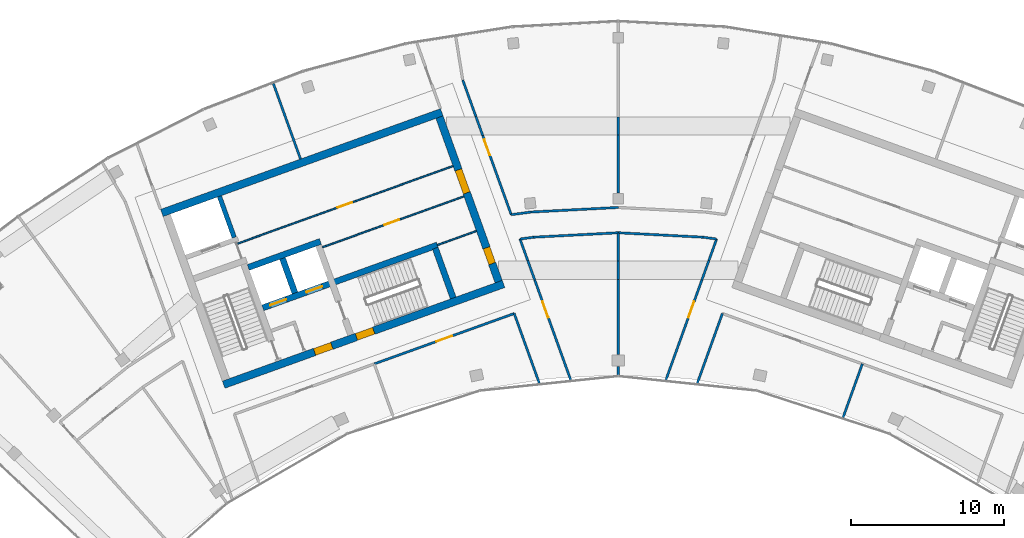
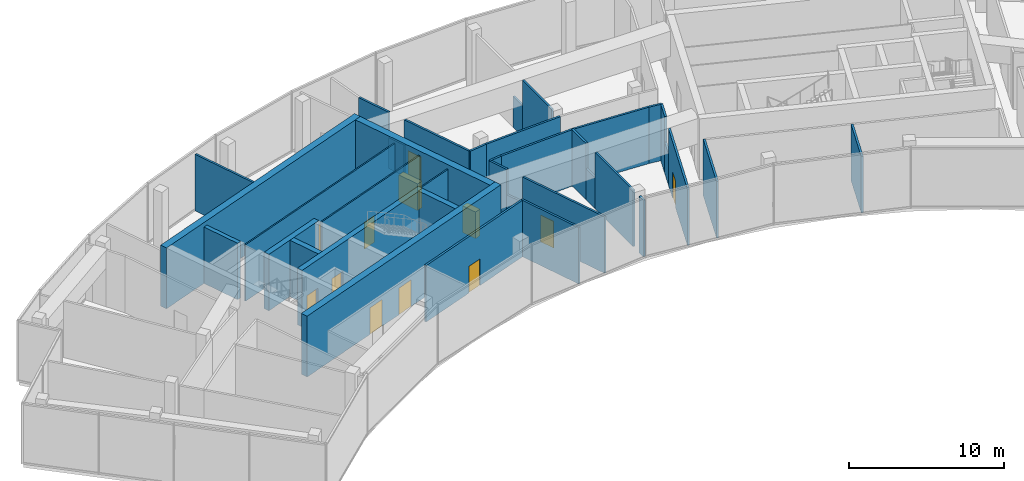
# One storey, part 13 of 17: 37 walls, 12 doors, 12 openings.
"""IFC4 building model written with IfcOpenShell, lengths in metres."""

from ifc_helpers import new_model, si_unit, direction, frame, frame_2d, origin, place, context, subcontext, project, spatial, rectangle, extrude, material, layer, layer_set, type_object, element, fill, save


model = new_model("IFC4")

# Units and contexts
model_context = context("Model", 3, precision=1e-05, world=origin(), true_north=direction((0.0, 1.0)))
body_context = subcontext(model_context, "Body", "Model", "MODEL_VIEW")
ifc_project = project(units=[si_unit("LENGTHUNIT", "METRE"), si_unit("AREAUNIT", "SQUARE_METRE"), si_unit("VOLUMEUNIT", "CUBIC_METRE"), si_unit("PLANEANGLEUNIT", "RADIAN"), si_unit("MASSUNIT", "GRAM", prefix="KILO")], contexts=[model_context])

# Site, building, storey
site_placement = place(None, origin())
site = spatial("IfcSite", under=ifc_project, at=site_placement, CompositionType="ELEMENT")
building_placement = place(site_placement, origin())
building = spatial("IfcBuilding", under=site, at=building_placement, Name="Stone Belt Terrace Tower", CompositionType="ELEMENT")
storey_placement = place(building_placement, frame((0.0, 0.0, 318.199951171875)))
storey = spatial("IfcBuildingStorey", under=building, at=storey_placement, Name="L77", CompositionType="ELEMENT", Elevation=318.199951171875)

# Wall, opening, door
ifc_material_1 = material(Name="Plasterboard partition")
ifc_layer_1 = layer(ifc_material_1, 0.10009765625)
ifc_layer_set_1 = layer_set([ifc_layer_1], Name="Core partition 100")
wall_type_1 = type_object("IfcWallType", Name="Core partition 100", PredefinedType="PARTITIONING", material=ifc_layer_set_1)
wall_1_placement = place(storey_placement, frame((-24.847412109375, 52.061767578125, 0.0), z_axis=(0.0, 0.0, 1.0), x_axis=(0.940921131887, 0.338625786921, 0.0)))
wall_1 = element("IfcWall", 1, at=wall_1_placement, inside=storey, type_object=wall_type_1, Name="Core A wall", PredefinedType="PARTITIONING", context=body_context, shape_type="SweptSolid", body=[
    extrude(rectangle(XDim=14.9501953125, YDim=0.10009765625, at=frame_2d((7.47509765625, 0.0))), origin(), (0.0, 0.0, 1.0), 4.449951171875),
])
opening_1_placement = place(wall_1_placement, frame((6.949951171875, 0.0, 0.0)))
opening_1 = element("IfcOpeningElement", 2, at=opening_1_placement, cuts=wall_1, Name="Opening L77-C01", PredefinedType="OPENING", context=body_context, shape_type="SweptSolid", body=[
    extrude(rectangle(XDim=1.0, YDim=2.10009765625, at=frame_2d((0.5, 1.050048828125))), frame((0.0, 0.06005859375, 0.0), z_axis=(0.0, -1.0, 0.0), x_axis=(1.0, 0.0, 0.0)), (0.0, 0.0, 1.0), 0.1201171875),
])
ifc_material_2 = material(Name="Timber door leaf", Category="wood")
door_type_1 = type_object("IfcDoorType", Name="Core room door 1000", OperationType="SINGLE_SWING_LEFT", PredefinedType="DOOR", material=ifc_material_2)
door_1_placement = place(opening_1_placement, origin())
door_1 = element("IfcDoor", 3, at=door_1_placement, inside=storey, type_object=door_type_1, Name="Door to Electrical room core A", OperationType="SINGLE_SWING_LEFT", OverallHeight=2.10009765625, OverallWidth=1.0, PredefinedType="DOOR", context=body_context, shape_type="SweptSolid", body=[
    extrude(rectangle(XDim=1.0, YDim=2.10009765625, at=frame_2d((0.5, 1.050048828125))), frame((0.0, 0.02490234375, 0.0), z_axis=(0.0, -1.0, 0.0), x_axis=(1.0, 0.0, 0.0)), (0.0, 0.0, 1.0), 0.050048828125),
])
fill(opening_1, door_1)

wall_2_placement = place(storey_placement, frame((-19.29052734375, 51.829833984375, 0.0), z_axis=(0.0, 0.0, 1.0), x_axis=(0.940925833398, 0.338612722803, 0.0)))
wall_2 = element("IfcWall", 4, at=wall_2_placement, inside=storey, type_object=wall_type_1, Name="Core A wall", PredefinedType="PARTITIONING", context=body_context, shape_type="SweptSolid", body=[
    extrude(rectangle(XDim=9.7998046875, YDim=0.10009765625, at=frame_2d((4.89990234375, 0.0))), origin(), (0.0, 0.0, 1.0), 4.449951171875),
])
opening_2_placement = place(wall_2_placement, frame((4.300048828125, 0.0, 0.0)))
opening_2 = element("IfcOpeningElement", 5, at=opening_2_placement, cuts=wall_2, Name="Opening L77-C02", PredefinedType="OPENING", context=body_context, shape_type="SweptSolid", body=[
    extrude(rectangle(XDim=1.0, YDim=2.10009765625, at=frame_2d((0.5, 1.050048828125))), frame((0.0, 0.06005859375, 0.0), z_axis=(0.0, -1.0, 0.0), x_axis=(1.0, 0.0, 0.0)), (0.0, 0.0, 1.0), 0.1201171875),
])
door_2_placement = place(opening_2_placement, origin())
door_2 = element("IfcDoor", 6, at=door_2_placement, inside=storey, type_object=door_type_1, Name="Door to Ventilation plant room core A", OperationType="SINGLE_SWING_LEFT", OverallHeight=2.10009765625, OverallWidth=1.0, PredefinedType="DOOR", context=body_context, shape_type="SweptSolid", body=[
    extrude(rectangle(XDim=1.0, YDim=2.10009765625, at=frame_2d((0.5, 1.050048828125))), frame((0.0, 0.02490234375, 0.0), z_axis=(0.0, -1.0, 0.0), x_axis=(1.0, 0.0, 0.0)), (0.0, 0.0, 1.0), 0.050048828125),
])
fill(opening_2, door_2)

# Wall
wall_3_placement = place(storey_placement, frame((-11.797119140625, 51.975830078125, 0.0), z_axis=(0.0, 0.0, 1.0), x_axis=(0.940910465161, 0.33865542451, 0.0)))
element("IfcWall", 7, at=wall_3_placement, inside=storey, type_object=wall_type_1, Name="Core A wall", PredefinedType="PARTITIONING", context=body_context, shape_type="SweptSolid", body=[
    extrude(rectangle(XDim=2.69970703125, YDim=0.10009765625, at=frame_2d((1.349853515625, 0.0))), origin(), (0.0, 0.0, 1.0), 4.449951171875),
])

# Wall, openings, doors
ifc_material_3 = material(Name="Concrete B60", Category="concrete")
ifc_layer_2 = layer(ifc_material_3, 0.5)
ifc_layer_set_2 = layer_set([ifc_layer_2], Name="Core wall 500 B60")
wall_type_2 = type_object("IfcWallType", Name="Core wall 500 B60", PredefinedType="SHEAR", material=ifc_layer_set_2)
wall_4_placement = place(storey_placement, frame((-25.736572265625, 42.867431640625, 0.0), z_axis=(0.0, 0.0, 1.0), x_axis=(0.940917407757, 0.338636134781, 0.0)))
wall_4 = element("IfcWall", 8, at=wall_4_placement, inside=storey, type_object=wall_type_2, Name="Core A wall concave L77", PredefinedType="SHEAR", context=body_context, shape_type="SweptSolid", body=[
    extrude(rectangle(XDim=19.400146484375, YDim=0.5, at=frame_2d((9.7001953125, 0.0))), origin(), (0.0, 0.0, 1.0), 4.800048828125),
])
opening_3_placement = place(wall_4_placement, frame((6.300048828125, 0.0, 0.0)))
opening_3 = element("IfcOpeningElement", 9, at=opening_3_placement, cuts=wall_4, Name="Opening L77-C07", PredefinedType="OPENING", context=body_context, shape_type="SweptSolid", body=[
    extrude(rectangle(XDim=1.199951171875, YDim=2.10009765625, at=frame_2d((0.60009765625, 1.050048828125))), frame((0.0, 0.260009765625, 0.0), z_axis=(0.0, -1.0, 0.0), x_axis=(1.0, 0.0, 0.0)), (0.0, 0.0, 1.0), 0.52001953125),
])
opening_4_placement = place(wall_4_placement, frame((9.2001953125, 0.0, 0.0)))
opening_4 = element("IfcOpeningElement", 10, at=opening_4_placement, cuts=wall_4, Name="Opening L77-C09", PredefinedType="OPENING", context=body_context, shape_type="SweptSolid", body=[
    extrude(rectangle(XDim=1.199951171875, YDim=2.10009765625, at=frame_2d((0.60009765625, 1.050048828125))), frame((0.0, 0.260009765625, 0.0), z_axis=(0.0, -1.0, 0.0), x_axis=(1.0, 0.0, 0.0)), (0.0, 0.0, 1.0), 0.52001953125),
])
ifc_material_4 = material(Name="Steel door leaf", Category="steel")
door_type_2 = type_object("IfcDoorType", Name="Fire-fighting lobby door 1200", OperationType="SINGLE_SWING_LEFT", PredefinedType="DOOR", material=ifc_material_4)
door_3_placement = place(opening_3_placement, origin())
door_3 = element("IfcDoor", 11, at=door_3_placement, inside=storey, type_object=door_type_2, Name="Fire-fighting lobby door core A", OperationType="SINGLE_SWING_LEFT", OverallHeight=2.10009765625, OverallWidth=1.199951171875, PredefinedType="DOOR", context=body_context, shape_type="SweptSolid", body=[
    extrude(rectangle(XDim=1.199951171875, YDim=2.10009765625, at=frame_2d((0.60009765625, 1.050048828125))), frame((0.0, 0.22998046875, 0.0), z_axis=(0.0, -1.0, 0.0), x_axis=(1.0, 0.0, 0.0)), (0.0, 0.0, 1.0), 0.4599609375),
])
fill(opening_3, door_3)
door_type_3 = type_object("IfcDoorType", Name="Stair door 1200", OperationType="SINGLE_SWING_LEFT", PredefinedType="DOOR", material=ifc_material_4)
door_4_placement = place(opening_4_placement, origin())
door_4 = element("IfcDoor", 12, at=door_4_placement, inside=storey, type_object=door_type_3, Name="Stair 2 exit door core A", OperationType="SINGLE_SWING_RIGHT", OverallHeight=2.10009765625, OverallWidth=1.199951171875, PredefinedType="DOOR", context=body_context, shape_type="SweptSolid", body=[
    extrude(rectangle(XDim=1.199951171875, YDim=2.10009765625, at=frame_2d((0.60009765625, 1.050048828125))), frame((0.0, 0.22998046875, 0.0), z_axis=(0.0, -1.0, 0.0), x_axis=(1.0, 0.0, 0.0)), (0.0, 0.0, 1.0), 0.4599609375),
])
fill(opening_4, door_4)

# Wall
wall_5_placement = place(storey_placement, frame((-29.76611328125, 54.064453125, 0.0), z_axis=(0.0, 0.0, 1.0), x_axis=(0.940921417488, 0.338624993336, 0.0)))
element("IfcWall", 13, at=wall_5_placement, inside=storey, type_object=wall_type_2, Name="Core A wall convex L77", PredefinedType="SHEAR", context=body_context, shape_type="SweptSolid", body=[
    extrude(rectangle(XDim=19.400146484375, YDim=0.5, at=frame_2d((9.7001953125, 0.0))), origin(), (0.0, 0.0, 1.0), 4.800048828125),
])

# Wall, openings, doors
wall_6_placement = place(storey_placement, frame((-7.802490234375, 49.58740234375, 0.0), z_axis=(0.0, 0.0, 1.0), x_axis=(-0.338625431531, 0.940921259788, 0.0)))
wall_6 = element("IfcWall", 14, at=wall_6_placement, inside=storey, type_object=wall_type_2, Name="Core A wall end_b L77", PredefinedType="SHEAR", context=body_context, shape_type="SweptSolid", body=[
    extrude(rectangle(XDim=11.400146484375, YDim=0.5, at=frame_2d((5.7001953125, 0.0))), origin(), (0.0, 0.0, 1.0), 4.800048828125),
])
opening_5_placement = place(wall_6_placement, frame((6.14990234375, 0.0, 0.0)))
opening_5 = element("IfcOpeningElement", 15, at=opening_5_placement, cuts=wall_6, Name="Opening L77-C04", PredefinedType="OPENING", context=body_context, shape_type="SweptSolid", body=[
    extrude(rectangle(XDim=1.60009765625, YDim=2.10009765625, at=frame_2d((0.800048828125, 1.050048828125))), frame((0.0, 0.260009765625, 0.0), z_axis=(0.0, -1.0, 0.0), x_axis=(1.0, 0.0, 0.0)), (0.0, 0.0, 1.0), 0.52001953125),
])
opening_6_placement = place(wall_6_placement, frame((1.25, 0.0, 0.0)))
opening_6 = element("IfcOpeningElement", 16, at=opening_6_placement, cuts=wall_6, Name="Opening L77-C10", PredefinedType="OPENING", context=body_context, shape_type="SweptSolid", body=[
    extrude(rectangle(XDim=1.10009765625, YDim=2.10009765625, at=frame_2d((0.550048828125, 1.050048828125))), frame((0.0, 0.260009765625, 0.0), z_axis=(0.0, -1.0, 0.0), x_axis=(1.0, 0.0, 0.0)), (0.0, 0.0, 1.0), 0.52001953125),
])
door_type_4 = type_object("IfcDoorType", Name="Core room door 1100", OperationType="SINGLE_SWING_LEFT", PredefinedType="DOOR", material=ifc_material_2)
door_5_placement = place(opening_6_placement, origin())
door_5 = element("IfcDoor", 17, at=door_5_placement, inside=storey, type_object=door_type_4, Name="Door to Mechanical plant room core A", OperationType="SINGLE_SWING_LEFT", OverallHeight=2.10009765625, OverallWidth=1.10009765625, PredefinedType="DOOR", context=body_context, shape_type="SweptSolid", body=[
    extrude(rectangle(XDim=1.10009765625, YDim=2.10009765625, at=frame_2d((0.550048828125, 1.050048828125))), frame((0.0, 0.22998046875, 0.0), z_axis=(0.0, -1.0, 0.0), x_axis=(1.0, 0.0, 0.0)), (0.0, 0.0, 1.0), 0.4599609375),
])
fill(opening_6, door_5)
ifc_material_5 = material(Name="Glazed aluminium door leaf", Category="aluminium")
door_type_5 = type_object("IfcDoorType", Name="Lift lobby entrance door 1600", OperationType="DOUBLE_DOOR_SINGLE_SWING", PredefinedType="DOOR", material=ifc_material_5)
door_6_placement = place(opening_5_placement, origin())
door_6 = element("IfcDoor", 18, at=door_6_placement, inside=storey, type_object=door_type_5, Name="Lift lobby entrance door core A", OperationType="DOUBLE_DOOR_SINGLE_SWING", OverallHeight=2.10009765625, OverallWidth=1.60009765625, PredefinedType="DOOR", context=body_context, shape_type="SweptSolid", body=[
    extrude(rectangle(XDim=1.60009765625, YDim=2.10009765625, at=frame_2d((0.800048828125, 1.050048828125))), frame((0.0, 0.22998046875, 0.0), z_axis=(0.0, -1.0, 0.0), x_axis=(1.0, 0.0, 0.0)), (0.0, 0.0, 1.0), 0.4599609375),
])
fill(opening_5, door_6)

# Walls
ifc_material_6 = material(Name="Concrete B80", Category="concrete")
ifc_layer_3 = layer(ifc_material_6, 0.39990234375)
ifc_layer_set_3 = layer_set([ifc_layer_3], Name="Fire-fighting lift shaft wall 400")
wall_type_3 = type_object("IfcWallType", Name="Fire-fighting lift shaft wall 400", PredefinedType="SHEAR", material=ifc_layer_set_3)
wall_7_placement = place(storey_placement, frame((-24.130615234375, 50.512939453125, 0.0), z_axis=(0.0, 0.0, 1.0), x_axis=(0.94091168377, 0.338652038744, 0.0)))
element("IfcWall", 19, at=wall_7_placement, inside=storey, type_object=wall_type_3, Name="Core A wall", PredefinedType="SHEAR", context=body_context, shape_type="SweptSolid", body=[
    extrude(rectangle(XDim=5.000244140625, YDim=0.39990234375, at=frame_2d((2.5, 0.0))), origin(), (0.0, 0.0, 1.0), 4.449951171875),
])
wall_8_placement = place(storey_placement, frame((-21.0859375, 48.845458984375, 0.0), z_axis=(0.0, 0.0, 1.0), x_axis=(-0.338629416206, 0.940919825745, 0.0)))
element("IfcWall", 20, at=wall_8_placement, inside=storey, type_object=wall_type_3, Name="Core A wall", PredefinedType="SHEAR", context=body_context, shape_type="SweptSolid", body=[
    extrude(rectangle(XDim=2.400146484375, YDim=0.39990234375, at=frame_2d((1.2001953125, 0.0))), origin(), (0.0, 0.0, 1.0), 4.449951171875),
])
ifc_layer_4 = layer(ifc_material_6, 0.300048828125)
ifc_layer_set_4 = layer_set([ifc_layer_4], Name="Lift shaft wall 300")
wall_type_4 = type_object("IfcWallType", Name="Lift shaft wall 300", PredefinedType="SHEAR", material=ifc_layer_set_4)
wall_9_placement = place(storey_placement, frame((-25.046875, 52.46826171875, 0.0), z_axis=(0.0, 0.0, 1.0), x_axis=(-0.338549588058, 0.940948551423, 0.0)))
element("IfcWall", 21, at=wall_9_placement, inside=storey, type_object=wall_type_4, Name="Core A wall", PredefinedType="SHEAR", context=body_context, shape_type="SweptSolid", body=[
    extrude(rectangle(XDim=2.849853515625, YDim=0.300048828125, at=frame_2d((1.4248046875, 0.0))), origin(), (0.0, 0.0, 1.0), 4.449951171875),
])
ifc_material_7 = material(Name="Gypsum board partition")
ifc_layer_5 = layer(ifc_material_7, 0.14990234375)
ifc_layer_set_5 = layer_set([ifc_layer_5], Name="PARTITION 150 EI 60")
wall_type_5 = type_object("IfcWallType", Name="PARTITION 150 EI 60", PredefinedType="PARTITIONING", material=ifc_layer_set_5)
wall_10_placement = place(storey_placement, frame((-5.15087890625, 42.958740234375, 0.0), z_axis=(0.0, 0.0, 1.0), x_axis=(-0.33859088857, 0.940933690638, 0.0)))
element("IfcWall", 22, at=wall_10_placement, inside=storey, type_object=wall_type_5, Name="L77/wall/i006", PredefinedType="PARTITIONING", context=body_context, shape_type="SweptSolid", body=[
    extrude(rectangle(XDim=4.841064453125, YDim=0.14990234375, at=frame_2d((2.42041015625, 0.0))), origin(), (0.0, 0.0, 1.0), 4.449951171875),
])
wall_11_placement = place(storey_placement, frame((-6.4130859375, 52.3720703125, 0.0), z_axis=(0.0, 0.0, 1.0), x_axis=(0.338719468273, -0.940887411869, 0.0)))
element("IfcWall", 23, at=wall_11_placement, inside=storey, type_object=wall_type_5, Name="L77/wall/i008-1", PredefinedType="PARTITIONING", context=body_context, shape_type="SweptSolid", body=[
    extrude(rectangle(XDim=1.5048828125, YDim=0.14990234375, at=frame_2d((0.75244140625, 0.0))), origin(), (0.0, 0.0, 1.0), 4.449951171875),
])
wall_12_placement = place(storey_placement, frame((-5.9033203125, 50.9560546875, 0.0), z_axis=(0.0, 0.0, 1.0), x_axis=(0.338511330716, -0.940962315386, 0.0)))
element("IfcWall", 24, at=wall_12_placement, inside=storey, type_object=wall_type_5, Name="L77/wall/i008-2", PredefinedType="PARTITIONING", context=body_context, shape_type="SweptSolid", body=[
    extrude(rectangle(XDim=1.3291015625, YDim=0.14990234375, at=frame_2d((0.66455078125, 0.0))), origin(), (0.0, 0.0, 1.0), 2.449951171875),
])

# Wall, opening, door
wall_13_placement = place(storey_placement, frame((-5.453369140625, 49.705322265625, 0.0), z_axis=(0.0, 0.0, 1.0), x_axis=(0.338623569047, -0.94092193007, 0.0)))
wall_13 = element("IfcWall", 25, at=wall_13_placement, inside=storey, type_object=wall_type_5, Name="L77/wall/i008-3", PredefinedType="PARTITIONING", context=body_context, shape_type="SweptSolid", body=[
    extrude(rectangle(XDim=6.941650390625, YDim=0.14990234375, at=frame_2d((3.470703125, 0.0))), origin(), (0.0, 0.0, 1.0), 4.449951171875),
])
opening_7_placement = place(wall_13_placement, frame((1.503662109375, 0.0, 0.0)))
opening_7 = element("IfcOpeningElement", 26, at=opening_7_placement, cuts=wall_13, Name="Opening D-C77-19", PredefinedType="OPENING", context=body_context, shape_type="SweptSolid", body=[
    extrude(rectangle(XDim=1.10009765625, YDim=2.10009765625, at=frame_2d((0.550048828125, 1.050048828125))), frame((0.0, 0.0849609375, 0.0), z_axis=(0.0, -1.0, 0.0), x_axis=(1.0, 0.0, 0.0)), (0.0, 0.0, 1.0), 0.169921875),
])
ifc_material_8 = material(Name="Steel fire door set", Category="steel")
door_type_6 = type_object("IfcDoorType", Name="SERVICE ROOM DOOR 1100 X 2100", OperationType="NOTDEFINED", PredefinedType="DOOR", material=ifc_material_8)
door_7_placement = place(opening_7_placement, origin())
door_7 = element("IfcDoor", 27, at=door_7_placement, inside=storey, type_object=door_type_6, Name="L77/door/i19", OperationType="SINGLE_SWING_LEFT", OverallHeight=2.10009765625, OverallWidth=1.10009765625, PredefinedType="DOOR", context=body_context, shape_type="SweptSolid", body=[
    extrude(rectangle(XDim=1.10009765625, YDim=2.10009765625, at=frame_2d((0.550048828125, 1.050048828125))), frame((0.0, 0.02490234375, 0.0), z_axis=(0.0, -1.0, 0.0), x_axis=(1.0, 0.0, 0.0)), (0.0, 0.0, 1.0), 0.050048828125),
])
fill(opening_7, door_7)

# Walls
wall_14_placement = place(storey_placement, frame((-10.14501953125, 62.739013671875, 0.0), z_axis=(0.0, 0.0, 1.0), x_axis=(0.338640643118, -0.940915785195, 0.0)))
element("IfcWall", 28, at=wall_14_placement, inside=storey, type_object=wall_type_5, Name="L77/wall/i010-1", PredefinedType="PARTITIONING", context=body_context, shape_type="SweptSolid", body=[
    extrude(rectangle(XDim=2.5224609375, YDim=0.14990234375, at=frame_2d((1.26123046875, 0.0))), origin(), (0.0, 0.0, 1.0), 4.449951171875),
])
wall_15_placement = place(storey_placement, frame((-9.290771484375, 60.365478515625, 0.0), z_axis=(0.0, 0.0, 1.0), x_axis=(0.338615426018, -0.940924860583, 0.0)))
element("IfcWall", 29, at=wall_15_placement, inside=storey, type_object=wall_type_5, Name="L77/wall/i010-2", PredefinedType="PARTITIONING", context=body_context, shape_type="SweptSolid", body=[
    extrude(rectangle(XDim=1.32958984375, YDim=0.14990234375, at=frame_2d((0.664794921875, 0.0))), origin(), (0.0, 0.0, 1.0), 2.449951171875),
])

# Wall, opening, door
wall_16_placement = place(storey_placement, frame((-8.840576171875, 59.114501953125, 0.0), z_axis=(0.0, 0.0, 1.0), x_axis=(0.338667511383, -0.940906114729, 0.0)))
wall_16 = element("IfcWall", 30, at=wall_16_placement, inside=storey, type_object=wall_type_5, Name="L77/wall/i010-3", PredefinedType="PARTITIONING", context=body_context, shape_type="SweptSolid", body=[
    extrude(rectangle(XDim=5.490966796875, YDim=0.14990234375, at=frame_2d((2.74560546875, 0.0))), origin(), (0.0, 0.0, 1.0), 4.449951171875),
])
opening_8_placement = place(wall_16_placement, frame((0.26953125, 0.0, 0.0)))
opening_8 = element("IfcOpeningElement", 31, at=opening_8_placement, cuts=wall_16, Name="Opening D-C77-21", PredefinedType="OPENING", context=body_context, shape_type="SweptSolid", body=[
    extrude(rectangle(XDim=1.10009765625, YDim=2.10009765625, at=frame_2d((0.550048828125, 1.050048828125))), frame((0.0, 0.0849609375, 0.0), z_axis=(0.0, -1.0, 0.0), x_axis=(1.0, 0.0, 0.0)), (0.0, 0.0, 1.0), 0.169921875),
])
door_8_placement = place(opening_8_placement, origin())
door_8 = element("IfcDoor", 32, at=door_8_placement, inside=storey, type_object=door_type_6, Name="L77/door/i21", OperationType="SINGLE_SWING_LEFT", OverallHeight=2.10009765625, OverallWidth=1.10009765625, PredefinedType="DOOR", context=body_context, shape_type="SweptSolid", body=[
    extrude(rectangle(XDim=1.10009765625, YDim=2.10009765625, at=frame_2d((0.550048828125, 1.050048828125))), frame((0.0, 0.02490234375, 0.0), z_axis=(0.0, -1.0, 0.0), x_axis=(1.0, 0.0, 0.0)), (0.0, 0.0, 1.0), 0.050048828125),
])
fill(opening_8, door_8)

wall_17_placement = place(storey_placement, frame((-6.7880859375, 47.508056640625, 0.0), z_axis=(0.0, 0.0, 1.0), x_axis=(-0.940942551854, -0.33856626251, 0.0)))
wall_17 = element("IfcWall", 33, at=wall_17_placement, inside=storey, type_object=wall_type_5, Name="L77/wall/i012", PredefinedType="PARTITIONING", context=body_context, shape_type="SweptSolid", body=[
    extrude(rectangle(XDim=9.7060546875, YDim=0.14990234375, at=frame_2d((4.85302734375, 0.0))), origin(), (0.0, 0.0, 1.0), 4.449951171875),
])
opening_9_placement = place(wall_17_placement, frame((4.302978515625, 0.0, 0.0)))
opening_9 = element("IfcOpeningElement", 34, at=opening_9_placement, cuts=wall_17, Name="Opening D-C77-02", PredefinedType="OPENING", context=body_context, shape_type="SweptSolid", body=[
    extrude(rectangle(XDim=1.10009765625, YDim=2.10009765625, at=frame_2d((0.550048828125, 1.050048828125))), frame((0.0, 0.0849609375, 0.0), z_axis=(0.0, -1.0, 0.0), x_axis=(1.0, 0.0, 0.0)), (0.0, 0.0, 1.0), 0.169921875),
])
door_9_placement = place(opening_9_placement, origin())
door_9 = element("IfcDoor", 35, at=door_9_placement, inside=storey, type_object=door_type_6, Name="L77/door/i02", OperationType="SINGLE_SWING_RIGHT", OverallHeight=2.10009765625, OverallWidth=1.10009765625, PredefinedType="DOOR", context=body_context, shape_type="SweptSolid", body=[
    extrude(rectangle(XDim=1.10009765625, YDim=2.10009765625, at=frame_2d((0.550048828125, 1.050048828125))), frame((0.0, 0.02490234375, 0.0), z_axis=(0.0, -1.0, 0.0), x_axis=(1.0, 0.0, 0.0)), (0.0, 0.0, 1.0), 0.050048828125),
])
fill(opening_9, door_9)

# Walls
wall_18_placement = place(storey_placement, frame((-22.492919921875, 62.4990234375, 0.0), z_axis=(0.0, 0.0, 1.0), x_axis=(0.338615199904, -0.940924941956, 0.0)))
element("IfcWall", 36, at=wall_18_placement, inside=storey, type_object=wall_type_5, Name="L77/wall/i014", PredefinedType="PARTITIONING", context=body_context, shape_type="SweptSolid", body=[
    extrude(rectangle(XDim=5.2236328125, YDim=0.14990234375, at=frame_2d((2.61181640625, 0.0))), origin(), (0.0, 0.0, 1.0), 4.449951171875),
])
wall_19_placement = place(storey_placement, frame((6.7900390625, 47.513916015625, 0.0), z_axis=(0.0, 0.0, 1.0), x_axis=(-0.33859088857, -0.940933690638, 0.0)))
element("IfcWall", 37, at=wall_19_placement, inside=storey, type_object=wall_type_5, Name="L77/wall/i015", PredefinedType="PARTITIONING", context=body_context, shape_type="SweptSolid", body=[
    extrude(rectangle(XDim=4.841064453125, YDim=0.14990234375, at=frame_2d((2.42041015625, 0.0))), origin(), (0.0, 0.0, 1.0), 4.449951171875),
])

# Wall, opening, door
wall_20_placement = place(storey_placement, frame((3.102783203125, 43.173828125, 0.0), z_axis=(0.0, 0.0, 1.0), x_axis=(0.338623569047, 0.94092193007, 0.0)))
wall_20 = element("IfcWall", 38, at=wall_20_placement, inside=storey, type_object=wall_type_5, Name="L77/wall/i017-1", PredefinedType="PARTITIONING", context=body_context, shape_type="SweptSolid", body=[
    extrude(rectangle(XDim=6.941650390625, YDim=0.14990234375, at=frame_2d((3.470703125, 0.0))), origin(), (0.0, 0.0, 1.0), 4.449951171875),
])
opening_10_placement = place(wall_20_placement, frame((4.337890625, 0.0, 0.0)))
opening_10 = element("IfcOpeningElement", 39, at=opening_10_placement, cuts=wall_20, Name="Opening D-C77-20", PredefinedType="OPENING", context=body_context, shape_type="SweptSolid", body=[
    extrude(rectangle(XDim=1.10009765625, YDim=2.10009765625, at=frame_2d((0.550048828125, 1.050048828125))), frame((0.0, 0.0849609375, 0.0), z_axis=(0.0, -1.0, 0.0), x_axis=(1.0, 0.0, 0.0)), (0.0, 0.0, 1.0), 0.169921875),
])
door_10_placement = place(opening_10_placement, origin())
door_10 = element("IfcDoor", 40, at=door_10_placement, inside=storey, type_object=door_type_6, Name="L77/door/i20", OperationType="SINGLE_SWING_LEFT", OverallHeight=2.10009765625, OverallWidth=1.10009765625, PredefinedType="DOOR", context=body_context, shape_type="SweptSolid", body=[
    extrude(rectangle(XDim=1.10009765625, YDim=2.10009765625, at=frame_2d((0.550048828125, 1.050048828125))), frame((0.0, 0.02490234375, 0.0), z_axis=(0.0, -1.0, 0.0), x_axis=(1.0, 0.0, 0.0)), (0.0, 0.0, 1.0), 0.050048828125),
])
fill(opening_10, door_10)

# Walls
wall_21_placement = place(storey_placement, frame((5.453369140625, 49.705322265625, 0.0), z_axis=(0.0, 0.0, 1.0), x_axis=(0.338511330716, 0.940962315386, 0.0)))
element("IfcWall", 41, at=wall_21_placement, inside=storey, type_object=wall_type_5, Name="L77/wall/i017-2", PredefinedType="PARTITIONING", context=body_context, shape_type="SweptSolid", body=[
    extrude(rectangle(XDim=1.3291015625, YDim=0.14990234375, at=frame_2d((0.66455078125, 0.0))), origin(), (0.0, 0.0, 1.0), 2.449951171875),
])
wall_22_placement = place(storey_placement, frame((5.9033203125, 50.9560546875, 0.0), z_axis=(0.0, 0.0, 1.0), x_axis=(0.338719468273, 0.940887411869, 0.0)))
element("IfcWall", 42, at=wall_22_placement, inside=storey, type_object=wall_type_5, Name="L77/wall/i017-3", PredefinedType="PARTITIONING", context=body_context, shape_type="SweptSolid", body=[
    extrude(rectangle(XDim=1.5048828125, YDim=0.14990234375, at=frame_2d((0.75244140625, 0.0))), origin(), (0.0, 0.0, 1.0), 4.449951171875),
])
wall_23_placement = place(storey_placement, frame((15.9150390625, 44.222900390625, 0.0), z_axis=(0.0, 0.0, 1.0), x_axis=(-0.338565939122, -0.940942668215, 0.0)))
element("IfcWall", 43, at=wall_23_placement, inside=storey, type_object=wall_type_5, Name="L77/wall/i027", PredefinedType="PARTITIONING", context=body_context, shape_type="SweptSolid", body=[
    extrude(rectangle(XDim=3.716552734375, YDim=0.14990234375, at=frame_2d((1.8583984375, 0.0))), origin(), (0.0, 0.0, 1.0), 4.449951171875),
])
wall_24_placement = place(storey_placement, frame((0.0, 52.77490234375, 0.0), z_axis=(0.0, 0.0, 1.0), x_axis=(-0.998632077757, -0.052287410285, 0.0)))
element("IfcWall", 44, at=wall_24_placement, inside=storey, type_object=wall_type_5, Name="L77/wall/i049", PredefinedType="PARTITIONING", context=body_context, shape_type="SweptSolid", body=[
    extrude(rectangle(XDim=5.523681640625, YDim=0.14990234375, at=frame_2d((2.76171875, 0.0))), origin(), (0.0, 0.0, 1.0), 4.449951171875),
])
for number, where, z_axis, x_axis, name in (
    (45, (-5.51611328125, 52.486083984375, 0.0), (0.0, 0.0, 1.0), (-0.991133302773, -0.132871276557, 0.0), "L77/wall/i050"),
    (46, (6.412109375, 52.365966796875, 0.0), (0.0, 0.0, 1.0), (-0.991133302773, 0.132871276557, 0.0), "L77/wall/i051"),
):
    element("IfcWall", number, at=place(storey_placement, frame(where, z_axis=z_axis, x_axis=x_axis)), inside=storey, type_object=wall_type_5, Name=name, PredefinedType="PARTITIONING", context=body_context, shape_type="SweptSolid", body=[
        extrude(rectangle(XDim=0.904052734375, YDim=0.14990234375, at=frame_2d((0.4521484375, 0.0))), origin(), (0.0, 0.0, 1.0), 4.449951171875),
    ])
wall_25_placement = place(storey_placement, frame((5.51611328125, 52.486083984375, 0.0), z_axis=(0.0, 0.0, 1.0), x_axis=(-0.998632077757, 0.052287410285, 0.0)))
element("IfcWall", 47, at=wall_25_placement, inside=storey, type_object=wall_type_5, Name="L77/wall/i052", PredefinedType="PARTITIONING", context=body_context, shape_type="SweptSolid", body=[
    extrude(rectangle(XDim=5.523681640625, YDim=0.14990234375, at=frame_2d((2.76171875, 0.0))), origin(), (0.0, 0.0, 1.0), 4.449951171875),
])
wall_26_placement = place(storey_placement, frame((-6.98291015625, 53.9541015625, 0.0), z_axis=(0.0, 0.0, 1.0), x_axis=(0.991195203511, 0.132408717752, 0.0)))
element("IfcWall", 48, at=wall_26_placement, inside=storey, type_object=wall_type_5, Name="L77/wall/i053", PredefinedType="PARTITIONING", context=body_context, shape_type="SweptSolid", body=[
    extrude(rectangle(XDim=1.305419921875, YDim=0.14990234375, at=frame_2d((0.65283203125, 0.0))), origin(), (0.0, 0.0, 1.0), 4.449951171875),
])
wall_27_placement = place(storey_placement, frame((-5.68896484375, 54.126953125, 0.0), z_axis=(0.0, 0.0, 1.0), x_axis=(0.998629996285, 0.052327148977, 0.0)))
element("IfcWall", 49, at=wall_27_placement, inside=storey, type_object=wall_type_5, Name="L77/wall/i054", PredefinedType="PARTITIONING", context=body_context, shape_type="SweptSolid", body=[
    extrude(rectangle(XDim=5.69677734375, YDim=0.14990234375, at=frame_2d((2.848388671875, 0.0))), origin(), (0.0, 0.0, 1.0), 4.449951171875),
])
wall_28_placement = place(storey_placement, frame((0.0, 52.77490234375, 0.0), z_axis=(0.0, 0.0, 1.0), x_axis=(0.0, -1.0, 0.0)))
element("IfcWall", 50, at=wall_28_placement, inside=storey, type_object=wall_type_5, Name="L77/wall/i057-1", PredefinedType="PARTITIONING", context=body_context, shape_type="SweptSolid", body=[
    extrude(rectangle(XDim=1.84423828125, YDim=0.14990234375, at=frame_2d((0.922119140625, 0.0))), origin(), (0.0, 0.0, 1.0), 4.449951171875),
])
wall_29_placement = place(storey_placement, frame((0.0, 50.9306640625, 0.0), z_axis=(0.0, 0.0, 1.0), x_axis=(0.0, -1.0, 0.0)))
element("IfcWall", 51, at=wall_29_placement, inside=storey, type_object=wall_type_5, Name="L77/wall/i057-2", PredefinedType="PARTITIONING", context=body_context, shape_type="SweptSolid", body=[
    extrude(rectangle(XDim=1.199951171875, YDim=0.14990234375, at=frame_2d((0.60009765625, 0.0))), origin(), (0.0, 0.0, 1.0), 2.449951171875),
])
wall_30_placement = place(storey_placement, frame((0.0, 49.730712890625, 0.0), z_axis=(0.0, 0.0, 1.0), x_axis=(0.0, -1.0, 0.0)))
element("IfcWall", 52, at=wall_30_placement, inside=storey, type_object=wall_type_5, Name="L77/wall/i057-3", PredefinedType="PARTITIONING", context=body_context, shape_type="SweptSolid", body=[
    extrude(rectangle(XDim=4.90576171875, YDim=0.14990234375, at=frame_2d((2.452880859375, 0.0))), origin(), (0.0, 0.0, 1.0), 4.449951171875),
])
wall_31_placement = place(storey_placement, frame((0.0, 44.06494140625, 0.0), z_axis=(0.0, 0.0, 1.0), x_axis=(0.0, -1.0, 0.0)))
element("IfcWall", 53, at=wall_31_placement, inside=storey, type_object=wall_type_5, Name="L77/wall/i058", PredefinedType="PARTITIONING", context=body_context, shape_type="SweptSolid", body=[
    extrude(rectangle(XDim=0.56494140625, YDim=0.14990234375, at=frame_2d((0.282470703125, 0.0))), origin(), (0.0, 0.0, 1.0), 4.449951171875),
])
wall_32_placement = place(storey_placement, frame((0.0, 60.340087890625, 0.0), z_axis=(0.0, 0.0, 1.0), x_axis=(0.0, -1.0, 0.0)))
element("IfcWall", 54, at=wall_32_placement, inside=storey, type_object=wall_type_5, Name="L77/wall/i060-2", PredefinedType="PARTITIONING", context=body_context, shape_type="SweptSolid", body=[
    extrude(rectangle(XDim=1.2001953125, YDim=0.14990234375, at=frame_2d((0.60009765625, 0.0))), origin(), (0.0, 0.0, 1.0), 2.449951171875),
])
wall_33_placement = place(storey_placement, frame((0.0, 59.139892578125, 0.0), z_axis=(0.0, 0.0, 1.0), x_axis=(0.0, -1.0, 0.0)))
element("IfcWall", 55, at=wall_33_placement, inside=storey, type_object=wall_type_5, Name="L77/wall/i060-3", PredefinedType="PARTITIONING", context=body_context, shape_type="SweptSolid", body=[
    extrude(rectangle(XDim=3.760009765625, YDim=0.14990234375, at=frame_2d((1.8798828125, 0.0))), origin(), (0.0, 0.0, 1.0), 4.449951171875),
])

# Wall, openings, doors
ifc_layer_6 = layer(ifc_material_6, 0.39990234375)
ifc_layer_set_6 = layer_set([ifc_layer_6], Name="Stair enclosure wall 400")
wall_type_6 = type_object("IfcWallType", Name="Stair enclosure wall 400", PredefinedType="SHEAR", material=ifc_layer_set_6)
wall_34_placement = place(storey_placement, frame((-23.182373046875, 47.87841796875, 0.0), z_axis=(0.0, 0.0, 1.0), x_axis=(0.940921101762, 0.338625870628, 0.0)))
wall_34 = element("IfcWall", 56, at=wall_34_placement, inside=storey, type_object=wall_type_6, Name="Core A wall", PredefinedType="SHEAR", context=body_context, shape_type="SweptSolid", body=[
    extrude(rectangle(XDim=12.10009765625, YDim=0.39990234375, at=frame_2d((6.050048828125, 0.0))), origin(), (0.0, 0.0, 1.0), 4.449951171875),
])
opening_11_placement = place(wall_34_placement, frame((0.52001953125, 0.0, 0.0)))
opening_11 = element("IfcOpeningElement", 57, at=opening_11_placement, cuts=wall_34, Name="Opening L77-LD01", PredefinedType="OPENING", context=body_context, shape_type="SweptSolid", body=[
    extrude(rectangle(XDim=1.10009765625, YDim=2.199951171875, at=frame_2d((0.550048828125, 1.10009765625))), frame((0.0, 0.2099609375, 0.0), z_axis=(0.0, -1.0, 0.0), x_axis=(1.0, 0.0, 0.0)), (0.0, 0.0, 1.0), 0.419921875),
])
opening_12_placement = place(wall_34_placement, frame((3.02001953125, 0.0, 0.0)))
opening_12 = element("IfcOpeningElement", 58, at=opening_12_placement, cuts=wall_34, Name="Opening L77-LD02", PredefinedType="OPENING", context=body_context, shape_type="SweptSolid", body=[
    extrude(rectangle(XDim=1.10009765625, YDim=2.199951171875, at=frame_2d((0.550048828125, 1.10009765625))), frame((0.0, 0.2099609375, 0.0), z_axis=(0.0, -1.0, 0.0), x_axis=(1.0, 0.0, 0.0)), (0.0, 0.0, 1.0), 0.419921875),
])
ifc_material_9 = material(Name="Stainless steel door leaf", Category="steel")
door_type_7 = type_object("IfcDoorType", Name="Landing door 1100", OperationType="SLIDING_TO_LEFT", PredefinedType="DOOR", material=ifc_material_9)
door_11_placement = place(opening_11_placement, origin())
door_11 = element("IfcDoor", 59, at=door_11_placement, inside=storey, type_object=door_type_7, Name="Landing door FF1 core A", OperationType="SLIDING_TO_LEFT", OverallHeight=2.199951171875, OverallWidth=1.10009765625, PredefinedType="DOOR", context=body_context, shape_type="SweptSolid", body=[
    extrude(rectangle(XDim=1.10009765625, YDim=2.199951171875, at=frame_2d((0.550048828125, 1.10009765625))), frame((0.0, 0.02490234375, 0.0), z_axis=(0.0, -1.0, 0.0), x_axis=(1.0, 0.0, 0.0)), (0.0, 0.0, 1.0), 0.050048828125),
])
fill(opening_11, door_11)
door_12_placement = place(opening_12_placement, origin())
door_12 = element("IfcDoor", 60, at=door_12_placement, inside=storey, type_object=door_type_7, Name="Landing door FF2 core A", OperationType="SLIDING_TO_LEFT", OverallHeight=2.199951171875, OverallWidth=1.10009765625, PredefinedType="DOOR", context=body_context, shape_type="SweptSolid", body=[
    extrude(rectangle(XDim=1.10009765625, YDim=2.199951171875, at=frame_2d((0.550048828125, 1.10009765625))), frame((0.0, 0.02490234375, 0.0), z_axis=(0.0, -1.0, 0.0), x_axis=(1.0, 0.0, 0.0)), (0.0, 0.0, 1.0), 0.050048828125),
])
fill(opening_12, door_12)

# Wall
wall_35_placement = place(storey_placement, frame((-10.766357421875, 48.520751953125, 0.0), z_axis=(0.0, 0.0, 1.0), x_axis=(-0.338621735342, 0.94092258999, 0.0)))
element("IfcWall", 61, at=wall_35_placement, inside=storey, type_object=wall_type_6, Name="Core A wall", PredefinedType="SHEAR", context=body_context, shape_type="SweptSolid", body=[
    extrude(rectangle(XDim=3.449951171875, YDim=0.39990234375, at=frame_2d((1.72509765625, 0.0))), origin(), (0.0, 0.0, 1.0), 4.449951171875),
])

save(model, "model.ifc")
